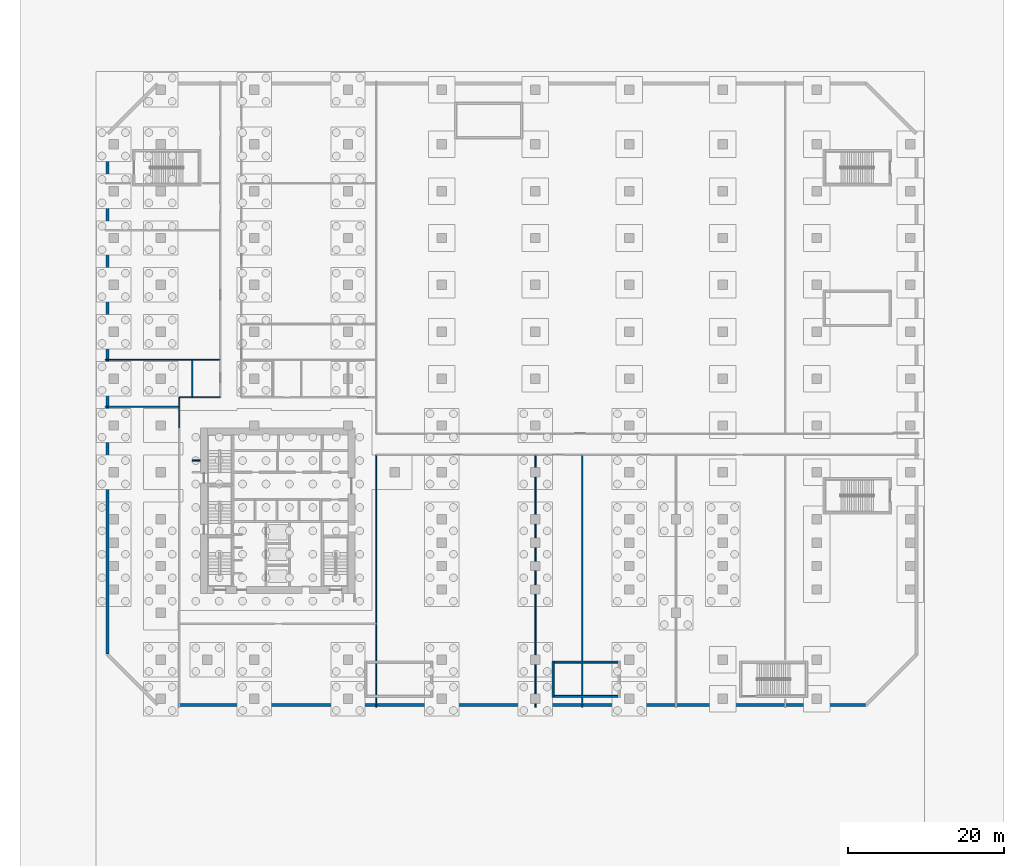
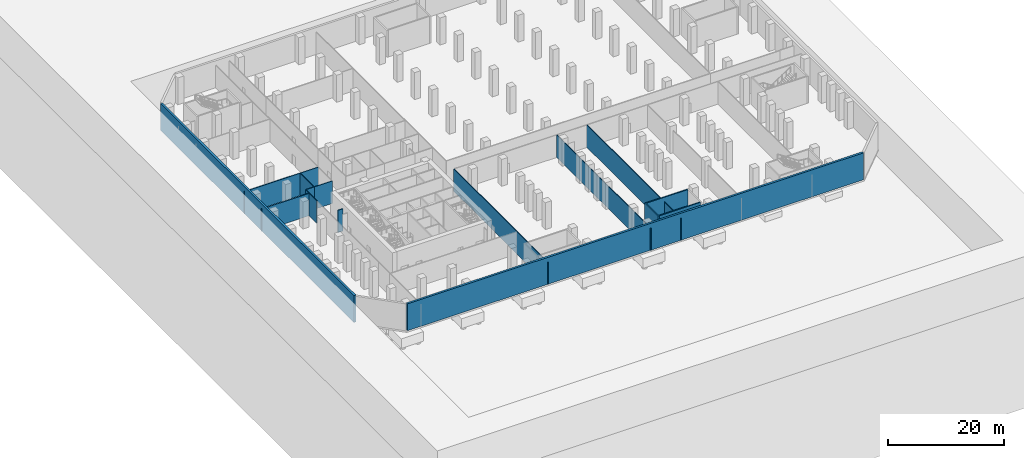
# One storey, part 7 of 16: 15 walls.
"""IFC4 building model written with IfcOpenShell, lengths in metres."""

from ifc_helpers import new_model, si_unit, direction, frame, frame_2d, origin, place, context, subcontext, project, spatial, rectangle, extrude, material, layer, layer_set, type_object, element, save


model = new_model("IFC4")

# Units and contexts
model_context = context("Model", 3, precision=1e-05, world=origin(), true_north=direction((0.0, 1.0)))
body_context = subcontext(model_context, "Body", "Model", "MODEL_VIEW")
ifc_project = project(units=[si_unit("LENGTHUNIT", "METRE"), si_unit("AREAUNIT", "SQUARE_METRE"), si_unit("VOLUMEUNIT", "CUBIC_METRE"), si_unit("PLANEANGLEUNIT", "RADIAN"), si_unit("MASSUNIT", "GRAM", prefix="KILO")], contexts=[model_context])

# Site, building, storey
site_placement = place(None, origin())
site = spatial("IfcSite", under=ifc_project, at=site_placement, CompositionType="ELEMENT")
building_placement = place(site_placement, origin())
building = spatial("IfcBuilding", under=site, at=building_placement, Name="Welwitschia Terrace Campus", CompositionType="ELEMENT")
storey_placement = place(building_placement, frame((0.0, 0.0, -6.0)))
storey = spatial("IfcBuildingStorey", under=building, at=storey_placement, Name="B1", CompositionType="ELEMENT", Elevation=-6.0)

# Walls
ifc_material_1 = material(Name="Concrete C50/60", Category="concrete")
ifc_layer_1 = layer(ifc_material_1, 0.25)
ifc_layer_set_1 = layer_set([ifc_layer_1], Name="Concrete C50/60")
wall_type_1 = type_object("IfcWallType", Name="Core wall 250 Concrete C50/60", PredefinedType="SHEAR", material=ifc_layer_set_1)
wall_1_placement = place(storey_placement, frame((50.27490234375, -8.824951171875, 0.0), z_axis=(0.0, 0.0, 1.0), x_axis=(0.0, 1.0, 0.0)))
element("IfcWall", 1, at=wall_1_placement, inside=storey, type_object=wall_type_1, Name="Core wall", PredefinedType="SHEAR", context=body_context, shape_type="SweptSolid", body=[
    extrude(rectangle(XDim=4.64990234375, YDim=0.25, at=frame_2d((2.324951171875, 0.0))), origin(), (0.0, 0.0, 1.0), 5.64990234375),
])
for number, where, z_axis, x_axis, name in (
    (2, (58.60009765625, -8.699951171875, 0.0), (0.0, 0.0, 1.0), (-1.0, 0.0, 0.0), "Core wall"),
    (3, (50.39990234375, -4.300048828125, 0.0), (0.0, 0.0, 1.0), (1.0, 0.0, 0.0), "Core wall"),
):
    element("IfcWall", number, at=place(storey_placement, frame(where, z_axis=z_axis, x_axis=x_axis)), inside=storey, type_object=wall_type_1, Name=name, PredefinedType="SHEAR", context=body_context, shape_type="SweptSolid", body=[
        extrude(rectangle(XDim=8.2001953125, YDim=0.25, at=frame_2d((4.10009765625, 0.0))), origin(), (0.0, 0.0, 1.0), 5.64990234375),
    ])
ifc_material_2 = material(Name="Gypsum board on steel studs", Category="steel")
ifc_layer_2 = layer(ifc_material_2, 0.14990234375)
ifc_layer_set_2 = layer_set([ifc_layer_2], Name="Gypsum board on steel studs")
wall_type_2 = type_object("IfcWallType", Name="Corridor partition 150 EI 30", PredefinedType="PARTITIONING", material=ifc_layer_set_2)
wall_2_placement = place(storey_placement, frame((-7.090087890625, 28.39990234375, 0.0), z_axis=(0.0, 0.0, 1.0), x_axis=(1.0, 0.0, 0.0)))
element("IfcWall", 4, at=wall_2_placement, inside=storey, type_object=wall_type_2, Name="Partition", PredefinedType="PARTITIONING", context=body_context, shape_type="SweptSolid", body=[
    extrude(rectangle(XDim=9.489990234375, YDim=0.14990234375, at=frame_2d((4.7451171875, 0.0))), origin(), (0.0, 0.0, 1.0), 4.699951171875),
])
wall_3_placement = place(storey_placement, frame((-7.090087890625, 34.39990234375, 0.0), z_axis=(0.0, 0.0, 1.0), x_axis=(1.0, 0.0, 0.0)))
element("IfcWall", 5, at=wall_3_placement, inside=storey, type_object=wall_type_2, Name="Partition", PredefinedType="PARTITIONING", context=body_context, shape_type="SweptSolid", body=[
    extrude(rectangle(XDim=14.739990234375, YDim=0.14990234375, at=frame_2d((7.3701171875, 0.0))), origin(), (0.0, 0.0, 1.0), 4.699951171875),
])
wall_4_placement = place(storey_placement, frame((2.39990234375, 25.699951171875, 0.0), z_axis=(0.0, 0.0, 1.0), x_axis=(0.0, 1.0, 0.0)))
element("IfcWall", 6, at=wall_4_placement, inside=storey, type_object=wall_type_2, Name="Partition", PredefinedType="PARTITIONING", context=body_context, shape_type="SweptSolid", body=[
    extrude(rectangle(XDim=3.900146484375, YDim=0.14990234375, at=frame_2d((1.9501953125, 0.0))), origin(), (0.0, 0.0, 1.0), 4.699951171875),
])
wall_5_placement = place(storey_placement, frame((2.39990234375, 29.60009765625, 0.0), z_axis=(0.0, 0.0, 1.0), x_axis=(1.0, 0.0, 0.0)))
element("IfcWall", 7, at=wall_5_placement, inside=storey, type_object=wall_type_2, Name="Partition", PredefinedType="PARTITIONING", context=body_context, shape_type="SweptSolid", body=[
    extrude(rectangle(XDim=1.650146484375, YDim=0.14990234375, at=frame_2d((0.8251953125, 0.0))), origin(), (0.0, 0.0, 1.0), 4.699951171875),
])
wall_6_placement = place(storey_placement, frame((4.050048828125, 21.5, 0.0), z_axis=(0.0, 0.0, 1.0), x_axis=(1.0, 0.0, 0.0)))
element("IfcWall", 8, at=wall_6_placement, inside=storey, type_object=wall_type_2, Name="Partition", PredefinedType="PARTITIONING", context=body_context, shape_type="SweptSolid", body=[
    extrude(rectangle(XDim=1.050048828125, YDim=0.14990234375, at=frame_2d((0.52490234375, 0.0))), origin(), (0.0, 0.0, 1.0), 4.699951171875),
])
wall_7_placement = place(storey_placement, frame((4.050048828125, 29.60009765625, 0.0), z_axis=(0.0, 0.0, 1.0), x_axis=(0.0, 1.0, 0.0)))
element("IfcWall", 9, at=wall_7_placement, inside=storey, type_object=wall_type_2, Name="Partition", PredefinedType="PARTITIONING", context=body_context, shape_type="SweptSolid", body=[
    extrude(rectangle(XDim=4.7998046875, YDim=0.14990234375, at=frame_2d((2.39990234375, 0.0))), origin(), (0.0, 0.0, 1.0), 4.699951171875),
])
wall_8_placement = place(storey_placement, frame((4.050048828125, 29.60009765625, 0.0), z_axis=(0.0, 0.0, 1.0), x_axis=(1.0, 0.0, 0.0)))
element("IfcWall", 10, at=wall_8_placement, inside=storey, type_object=wall_type_2, Name="Partition", PredefinedType="PARTITIONING", context=body_context, shape_type="SweptSolid", body=[
    extrude(rectangle(XDim=3.599853515625, YDim=0.14990234375, at=frame_2d((1.7998046875, 0.0))), origin(), (0.0, 0.0, 1.0), 4.699951171875),
])
for number, where, z_axis, x_axis, name in (
    (11, (27.60009765625, -10.090087890625, 0.0), (0.0, 0.0, 1.0), (0.0, 1.0, 0.0), "Partition"),
    (12, (48.0, -10.090087890625, 0.0), (0.0, 0.0, 1.0), (0.0, 1.0, 0.0), "Partition"),
    (13, (54.0, -10.090087890625, 0.0), (0.0, 0.0, 1.0), (0.0, 1.0, 0.0), "Partition"),
):
    element("IfcWall", number, at=place(storey_placement, frame(where, z_axis=z_axis, x_axis=x_axis)), inside=storey, type_object=wall_type_2, Name=name, PredefinedType="PARTITIONING", context=body_context, shape_type="SweptSolid", body=[
        extrude(rectangle(XDim=32.340087890625, YDim=0.14990234375, at=frame_2d((16.169921875, 0.0))), origin(), (0.0, 0.0, 1.0), 4.699951171875),
    ])
ifc_material_3 = material(Name="Concrete C40/50", Category="concrete")
ifc_layer_3 = layer(ifc_material_3, 0.39990234375)
ifc_layer_set_3 = layer_set([ifc_layer_3], Name="Concrete C40/50")
wall_type_3 = type_object("IfcWallType", Name="Retaining wall 400", PredefinedType="SOLIDWALL", material=ifc_layer_set_3)
wall_9_placement = place(storey_placement, frame((-0.24853515625, -9.800048828125, 0.0), z_axis=(0.0, 0.0, 1.0), x_axis=(1.0, 0.0, 0.0)))
element("IfcWall", 14, at=wall_9_placement, inside=storey, type_object=wall_type_3, Name="Basement retaining wall 1", PredefinedType="SOLIDWALL", context=body_context, shape_type="SweptSolid", body=[
    extrude(rectangle(XDim=90.4970703125, YDim=0.39990234375, at=frame_2d((45.24853515625, 0.0))), origin(), (0.0, 0.0, 1.0), 5.64990234375),
])
wall_10_placement = place(storey_placement, frame((-6.800048828125, 63.24853515625, 0.0), z_axis=(0.0, 0.0, 1.0), x_axis=(0.0, -1.0, 0.0)))
element("IfcWall", 15, at=wall_10_placement, inside=storey, type_object=wall_type_3, Name="Basement retaining wall 7", PredefinedType="SOLIDWALL", context=body_context, shape_type="SweptSolid", body=[
    extrude(rectangle(XDim=66.4970703125, YDim=0.39990234375, at=frame_2d((33.24853515625, 0.0))), origin(), (0.0, 0.0, 1.0), 5.64990234375),
])

save(model, "model.ifc")
